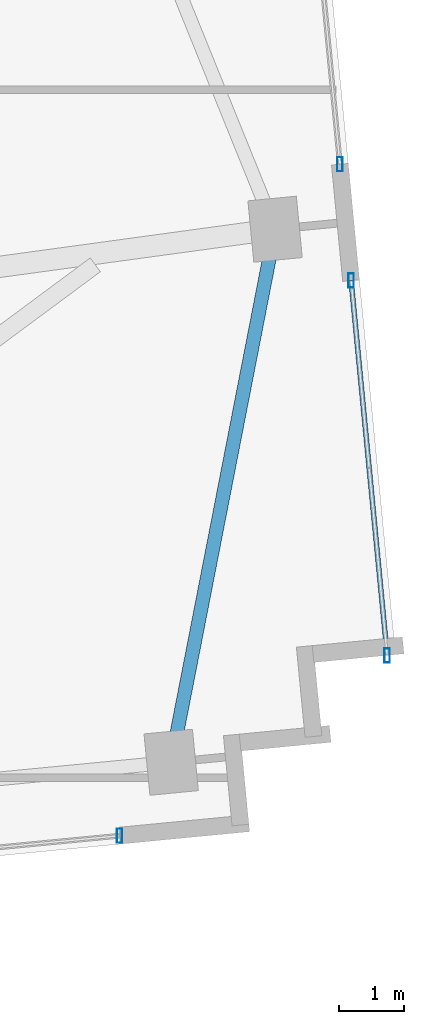
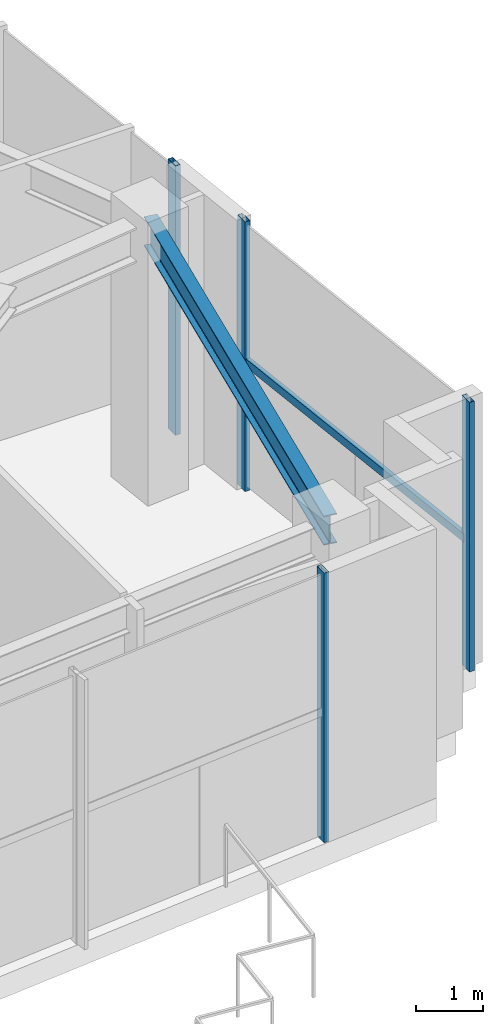
# One storey, part 10 of 21: 5 members, 1 beam, 3 elements without a shape of their own.
"""IFC4 building model written with IfcOpenShell, lengths in metres."""

from ifc_helpers import new_model, si_unit, direction, frame, origin, origin_2d, place, context, subcontext, project, spatial, hollow_rectangle, i_section, extrude, source, transform, mapped, material, material_profile, profile_set, type_object, type_shapes, element, aggregate, save


model = new_model("IFC4")

# Units and contexts
model_context = context("Model", 3, precision=1e-05, world=origin(), true_north=direction((0.0, 1.0)))
body_context = subcontext(model_context, "Body", "Model", "MODEL_VIEW")
ifc_project = project(units=[si_unit("LENGTHUNIT", "METRE"), si_unit("AREAUNIT", "SQUARE_METRE"), si_unit("VOLUMEUNIT", "CUBIC_METRE"), si_unit("PLANEANGLEUNIT", "RADIAN"), si_unit("MASSUNIT", "GRAM", prefix="KILO")], contexts=[model_context])

# Site, building, storey
site_placement = place(None, origin())
site = spatial("IfcSite", under=ifc_project, at=site_placement, CompositionType="ELEMENT")
building_placement = place(site_placement, origin())
building = spatial("IfcBuilding", under=site, at=building_placement, Name="Astriad Promenade Condominiums", CompositionType="ELEMENT")
storey_placement = place(building_placement, frame((0.0, 0.0, 167.800048828125)))
storey = spatial("IfcBuildingStorey", under=building, at=storey_placement, Name="L48", CompositionType="ELEMENT", Elevation=167.800048828125)

# Beam
ifc_material_1 = material(Name="Steel ASTM A992 Grade 50", Category="steel")
ifc_material_profile_1 = material_profile(ifc_material_1, i_section(OverallWidth=0.210693359375, OverallDepth=0.53955078125, WebThickness=0.01171875, FlangeThickness=0.018798828125, FilletRadius=0.0166015625, at=origin_2d()), Name="W21X73")
ifc_profile_set_1 = profile_set([ifc_material_profile_1], Name="Steel ASTM A992 Grade 50")
beam_type = type_object("IfcBeamType", Name="STEEL SPANDREL BEAM W21X73", PredefinedType="SPANDREL", material=ifc_profile_set_1)
shared_shape_1 = source(origin(), body_context, "Body", "SweptSolid", [
    extrude(i_section(OverallWidth=0.210693359375, OverallDepth=0.53955078125, WebThickness=0.01171875, FlangeThickness=0.018798828125, FilletRadius=0.0166015625, at=origin_2d()), origin(), (0.0, 0.0, 1.0), 8.28564453125),
])
type_shapes(beam_type, [shared_shape_1])
beam_placement = place(storey_placement, frame((61.775634765625, 11.6552734375, 4.670166015625), z_axis=(0.191291582099, 0.981533254973, 0.0), x_axis=(-0.981533254973, 0.191291582099, 0.0)))
element("IfcBeam", 1, at=beam_placement, inside=storey, type_object=beam_type, Name="Perimeter Spandrel Beam SP-E1-L48", PredefinedType="SPANDREL", context=body_context, shape_type="MappedRepresentation", body=[
    mapped(shared_shape_1, transform((0.0, 0.0, 0.0), scale=1.0)),
])

# Curtain wall, member
ifc_material_2 = material(Name="Anodised aluminium Black Dark Glass Unitised", Category="aluminium")
curtain_wall_type = type_object("IfcCurtainWallType", Name="CW-B34-DARK", PredefinedType="USERDEFINED", material=ifc_material_2)
curtain_wall_1_placement = place(storey_placement, origin())
curtain_wall_1 = element("IfcCurtainWall", 2, at=curtain_wall_1_placement, inside=storey, type_object=curtain_wall_type, Name="CW-L48-E-1", ObjectType="UNITISED_CURTAIN_WALL", PredefinedType="USERDEFINED")
ifc_material_3 = material(Name="Anodised aluminium 6063-T6 Black", Category="aluminium")
ifc_material_profile_2 = material_profile(ifc_material_3, hollow_rectangle(XDim=0.0849609375, YDim=0.219970703125, WallThickness=0.0048828125, at=origin_2d()), Name="ALU-MUL-85X220")
ifc_profile_set_2 = profile_set([ifc_material_profile_2], Name="Anodised aluminium 6063-T6 Black")
member_type_1 = type_object("IfcMemberType", Name="MUL-ALU-MUL-85X220", PredefinedType="MULLION", material=ifc_profile_set_2)
shared_shape_2 = source(origin(), body_context, "Body", "SweptSolid", [
    extrude(hollow_rectangle(XDim=0.0849609375, YDim=0.219970703125, WallThickness=0.0048828125, at=origin_2d()), origin(), (0.0, 0.0, 1.0), 4.93994140625),
])
type_shapes(member_type_1, [shared_shape_2])
member_1_placement = place(storey_placement, frame((64.366943359375, 20.827392578125, 0.0), z_axis=(0.0, 0.0, 1.0), x_axis=(1.0, 0.0, 0.0)))
member_1 = element("IfcMember", 3, at=member_1_placement, type_object=member_type_1, Name="CW-L48-E-1-MUL-01", PredefinedType="MULLION", context=body_context, shape_type="MappedRepresentation", body=[
    mapped(shared_shape_2, transform((0.0, 0.0, 0.0), scale=1.0)),
])
aggregate(curtain_wall_1, [member_1])

# Curtain wall, members
curtain_wall_2_placement = place(storey_placement, origin())
curtain_wall_2 = element("IfcCurtainWall", 4, at=curtain_wall_2_placement, inside=storey, type_object=curtain_wall_type, Name="CW-L48-E-2", ObjectType="UNITISED_CURTAIN_WALL", PredefinedType="USERDEFINED")
member_2_placement = place(storey_placement, frame((64.53955078125, 19.03564453125, 0.0), z_axis=(0.0, 0.0, 1.0), x_axis=(1.0, 0.0, 0.0)))
member_2 = element("IfcMember", 5, at=member_2_placement, type_object=member_type_1, Name="CW-L48-E-2-MUL-00", PredefinedType="MULLION", context=body_context, shape_type="MappedRepresentation", body=[
    mapped(shared_shape_2, transform((0.0, 0.0, 0.0), scale=1.0)),
])
member_3_placement = place(storey_placement, frame((65.095458984375, 13.262451171875, 0.0), z_axis=(0.0, 0.0, 1.0), x_axis=(1.0, 0.0, 0.0)))
member_3 = element("IfcMember", 6, at=member_3_placement, type_object=member_type_1, Name="CW-L48-E-2-MUL-01", PredefinedType="MULLION", context=body_context, shape_type="MappedRepresentation", body=[
    mapped(shared_shape_2, transform((0.0, 0.0, 0.0), scale=1.0)),
])

# Curtain wall, member
curtain_wall_3_placement = place(storey_placement, origin())
curtain_wall_3 = element("IfcCurtainWall", 7, at=curtain_wall_3_placement, inside=storey, type_object=curtain_wall_type, Name="CW-L48-S-1", ObjectType="UNITISED_CURTAIN_WALL", PredefinedType="USERDEFINED")
member_4_placement = place(storey_placement, frame((60.97265625, 10.484619140625, 0.0), z_axis=(0.0, 0.0, 1.0), x_axis=(1.0, 0.0, 0.0)))
member_4 = element("IfcMember", 8, at=member_4_placement, type_object=member_type_1, Name="CW-L48-S-1-MUL-00", PredefinedType="MULLION", context=body_context, shape_type="MappedRepresentation", body=[
    mapped(shared_shape_2, transform((0.0, 0.0, 0.0), scale=1.0)),
])
aggregate(curtain_wall_3, [member_4])

# Member
ifc_material_profile_3 = material_profile(ifc_material_3, hollow_rectangle(XDim=0.074951171875, YDim=0.14990234375, WallThickness=0.004150390625, at=origin_2d()), Name="ALU-TRN-75X150")
ifc_profile_set_3 = profile_set([ifc_material_profile_3], Name="Anodised aluminium 6063-T6 Black")
member_type_2 = type_object("IfcMemberType", Name="TRN-ALU-TRN-75X150", PredefinedType="USERDEFINED", material=ifc_profile_set_3)
shared_shape_3 = source(origin(), body_context, "Body", "SweptSolid", [
    extrude(hollow_rectangle(XDim=0.074951171875, YDim=0.14990234375, WallThickness=0.004150390625, at=origin_2d()), origin(), (0.0, 0.0, 1.0), 5.7998046875),
])
type_shapes(member_type_2, [shared_shape_3])
member_5_placement = place(storey_placement, frame((64.53955078125, 19.03564453125, 2.349853515625), z_axis=(0.095847957887, -0.995395986012, 0.0), x_axis=(0.995395986012, 0.095847957887, 0.0)))
member_5 = element("IfcMember", 9, at=member_5_placement, type_object=member_type_2, Name="CW-L48-E-2-TRN-00-0", ObjectType="TRANSOM", PredefinedType="USERDEFINED", context=body_context, shape_type="MappedRepresentation", body=[
    mapped(shared_shape_3, transform((0.0, 0.0, 0.0), scale=1.0)),
])

aggregate(curtain_wall_2, [member_2, member_3, member_5])

save(model, "model.ifc")
